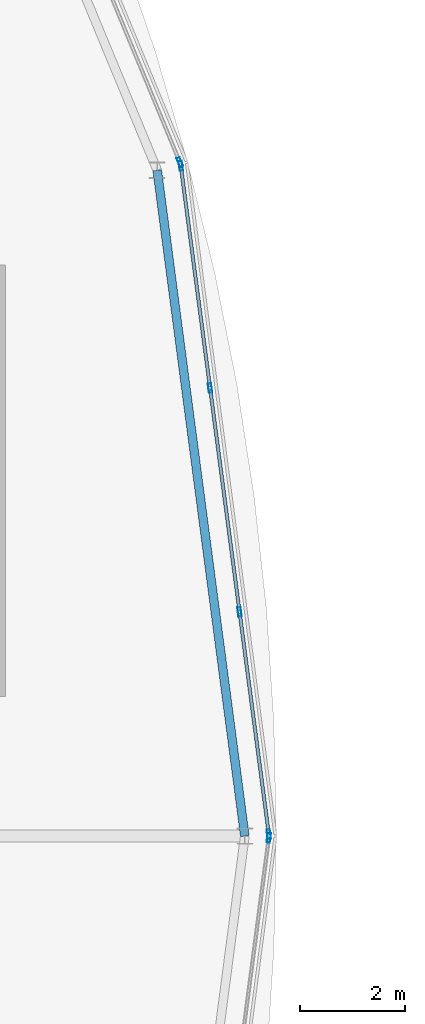
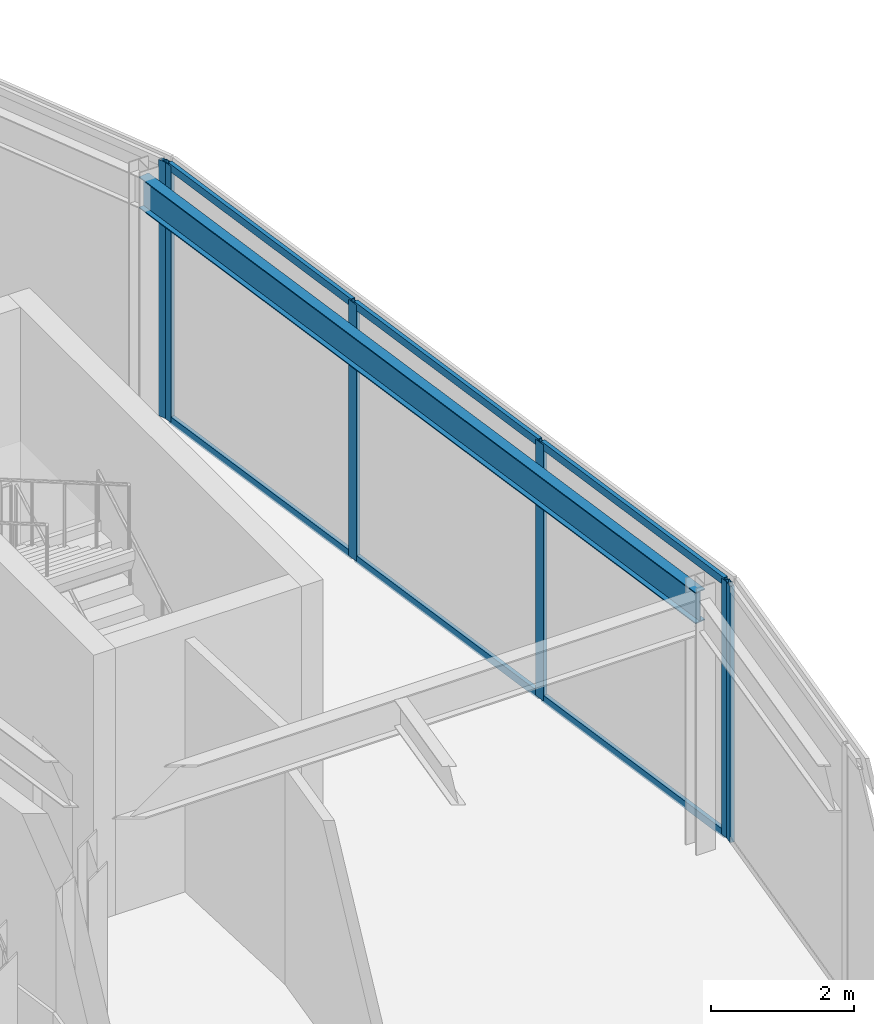
# One storey, part 73 of 116: 12 members, 1 beam, 3 elements without a shape of their own.
"""IFC4 building model written with IfcOpenShell, lengths in metres."""

from ifc_helpers import new_model, si_unit, direction, frame, origin, origin_2d, place, context, subcontext, project, spatial, hollow_rectangle, i_section, extrude, material, material_profile, profile_set, type_object, element, aggregate, save


model = new_model("IFC4")

# Units and contexts
model_context = context("Model", 3, precision=1e-05, world=origin(), true_north=direction((0.0, 1.0)))
body_context = subcontext(model_context, "Body", "Model", "MODEL_VIEW")
ifc_project = project(units=[si_unit("LENGTHUNIT", "METRE"), si_unit("AREAUNIT", "SQUARE_METRE"), si_unit("VOLUMEUNIT", "CUBIC_METRE"), si_unit("PLANEANGLEUNIT", "RADIAN"), si_unit("MASSUNIT", "GRAM", prefix="KILO")], contexts=[model_context])

# Site, building, storey
site_placement = place(None, origin())
site = spatial("IfcSite", under=ifc_project, at=site_placement, CompositionType="ELEMENT")
building_placement = place(site_placement, origin())
building = spatial("IfcBuilding", under=site, at=building_placement, Name="Almandine Court Research Institute", CompositionType="ELEMENT")
storey_placement = place(building_placement, frame((0.0, 0.0, 14.35009765625)))
storey = spatial("IfcBuildingStorey", under=building, at=storey_placement, Name="L03", CompositionType="ELEMENT", Elevation=14.35009765625)

# Beam
ifc_material_1 = material(Name="Steel ASTM A992 Grade 50", Category="steel")
ifc_material_profile_1 = material_profile(ifc_material_1, i_section(OverallWidth=0.166015625, OverallDepth=0.534912109375, WebThickness=0.010009765625, FlangeThickness=0.01708984375, at=origin_2d()), Name="W530x85")
ifc_profile_set_1 = profile_set([ifc_material_profile_1], Name="Steel ASTM A992 Grade 50")
beam_type = type_object("IfcBeamType", Name="Beam-G-05-E", PredefinedType="SPANDREL", material=ifc_profile_set_1)
beam_placement = place(storey_placement, frame((135.89990234375, 56.0, 4.102783203125), z_axis=(-0.130512396599, 0.991446677504, 0.0), x_axis=(-0.991446677504, -0.130512396599, 0.0)))
element("IfcBeam", 1, at=beam_placement, inside=storey, type_object=beam_type, Name="L03 Drum OUT Ring Beam 00", PredefinedType="SPANDREL", context=body_context, shape_type="SweptSolid", body=[
    extrude(i_section(OverallWidth=0.166015625, OverallDepth=0.534912109375, WebThickness=0.010009765625, FlangeThickness=0.01708984375, at=origin_2d()), origin(), (0.0, 0.0, 1.0), 12.76513671875),
])

# Curtain wall, member
ifc_material_2 = material(Name="Unitised Curtain Wall Framing and Solar Glazing", Category="glass")
curtain_wall_type = type_object("IfcCurtainWallType", Name="CW-CWJ-19", PredefinedType="USERDEFINED", material=ifc_material_2)
curtain_wall_1_placement = place(storey_placement, origin())
curtain_wall_1 = element("IfcCurtainWall", 2, at=curtain_wall_1_placement, inside=storey, type_object=curtain_wall_type, Name="L03 Stacked-Ring Drum Outer Solar Jali Screen 23", ObjectType="SOLAR JALI SCREEN", PredefinedType="USERDEFINED")
ifc_material_3 = material(Name="Anodised Aluminium AW-6063-T6", Category="aluminium")
ifc_material_profile_2 = material_profile(ifc_material_3, hollow_rectangle(XDim=0.06494140625, YDim=0.179931640625, WallThickness=0.00390625, at=origin_2d()), Name="ALU RHS 65x180x4")
ifc_profile_set_2 = profile_set([ifc_material_profile_2], Name="Anodised Aluminium AW-6063-T6")
member_type_1 = type_object("IfcMemberType", Name="CWMul-65x180", PredefinedType="MULLION", material=ifc_profile_set_2)
member_1_placement = place(storey_placement, frame((136.355712890625, 55.9638671875, 0.0), z_axis=(0.0, 0.0, 1.0), x_axis=(0.991442926098, -0.130540891259, 0.0)))
member_1 = element("IfcMember", 3, at=member_1_placement, type_object=member_type_1, Name="CWJ-19 mullion 1", PredefinedType="MULLION", context=body_context, shape_type="SweptSolid", body=[
    extrude(hollow_rectangle(XDim=0.06494140625, YDim=0.179931640625, WallThickness=0.00390625, at=origin_2d()), origin(), (0.0, 0.0, 1.0), 4.369873046875),
])
aggregate(curtain_wall_1, [member_1])

# Curtain wall, members
curtain_wall_2_placement = place(storey_placement, origin())
curtain_wall_2 = element("IfcCurtainWall", 4, at=curtain_wall_2_placement, inside=storey, type_object=curtain_wall_type, Name="L03 Stacked-Ring Drum Outer Solar Jali Screen 00", ObjectType="SOLAR JALI SCREEN", PredefinedType="USERDEFINED")
member_2_placement = place(storey_placement, frame((134.683349609375, 68.73876953125, 0.0), z_axis=(0.0, 0.0, 1.0), x_axis=(0.991442926098, 0.130540891259, 0.0)))
member_2 = element("IfcMember", 5, at=member_2_placement, type_object=member_type_1, Name="CWJ-19 mullion 1", PredefinedType="MULLION", context=body_context, shape_type="SweptSolid", body=[
    extrude(hollow_rectangle(XDim=0.06494140625, YDim=0.179931640625, WallThickness=0.00390625, at=origin_2d()), origin(), (0.0, 0.0, 1.0), 4.369873046875),
])
member_3_placement = place(storey_placement, frame((135.2392578125, 64.515380859375, 0.0), z_axis=(0.0, 0.0, 1.0), x_axis=(0.991442926098, 0.130540891259, 0.0)))
member_3 = element("IfcMember", 6, at=member_3_placement, type_object=member_type_1, Name="CWJ-19 mullion 2", PredefinedType="MULLION", context=body_context, shape_type="SweptSolid", body=[
    extrude(hollow_rectangle(XDim=0.06494140625, YDim=0.179931640625, WallThickness=0.00390625, at=origin_2d()), origin(), (0.0, 0.0, 1.0), 4.369873046875),
])
member_4_placement = place(storey_placement, frame((135.799560546875, 60.259765625, 0.0), z_axis=(0.0, 0.0, 1.0), x_axis=(0.991442926098, 0.130540891259, 0.0)))
member_4 = element("IfcMember", 7, at=member_4_placement, type_object=member_type_1, Name="CWJ-19 mullion 3", PredefinedType="MULLION", context=body_context, shape_type="SweptSolid", body=[
    extrude(hollow_rectangle(XDim=0.06494140625, YDim=0.179931640625, WallThickness=0.00390625, at=origin_2d()), origin(), (0.0, 0.0, 1.0), 4.369873046875),
])
member_5_placement = place(storey_placement, frame((136.355712890625, 56.0361328125, 0.0), z_axis=(0.0, 0.0, 1.0), x_axis=(0.991442926098, 0.130540891259, 0.0)))
member_5 = element("IfcMember", 8, at=member_5_placement, type_object=member_type_1, Name="CWJ-19 mullion 4", PredefinedType="MULLION", context=body_context, shape_type="SweptSolid", body=[
    extrude(hollow_rectangle(XDim=0.06494140625, YDim=0.179931640625, WallThickness=0.00390625, at=origin_2d()), origin(), (0.0, 0.0, 1.0), 4.369873046875),
])

# Curtain wall, member
curtain_wall_3_placement = place(storey_placement, origin())
curtain_wall_3 = element("IfcCurtainWall", 9, at=curtain_wall_3_placement, inside=storey, type_object=curtain_wall_type, Name="L03 Stacked-Ring Drum Outer Solar Jali Screen 01", ObjectType="SOLAR JALI SCREEN", PredefinedType="USERDEFINED")
member_6_placement = place(storey_placement, frame((134.66455078125, 68.80908203125, 0.0), z_axis=(0.0, 0.0, 1.0), x_axis=(0.923888124321, 0.382662689242, 0.0)))
member_6 = element("IfcMember", 10, at=member_6_placement, type_object=member_type_1, Name="CWJ-19 mullion 4", PredefinedType="MULLION", context=body_context, shape_type="SweptSolid", body=[
    extrude(hollow_rectangle(XDim=0.06494140625, YDim=0.179931640625, WallThickness=0.00390625, at=origin_2d()), origin(), (0.0, 0.0, 1.0), 4.369873046875),
])
aggregate(curtain_wall_3, [member_6])

# Member
ifc_material_profile_3 = material_profile(ifc_material_3, hollow_rectangle(XDim=0.06494140625, YDim=0.1298828125, WallThickness=0.00390625, at=origin_2d()), Name="ALU RHS 65x130x4")
ifc_profile_set_3 = profile_set([ifc_material_profile_3], Name="Anodised Aluminium AW-6063-T6")
member_type_2 = type_object("IfcMemberType", Name="CWTrn-65x130", PredefinedType="NOTDEFINED", material=ifc_profile_set_3)
member_7_placement = place(storey_placement, frame((134.6875, 68.70654296875, 0.032470703125), z_axis=(0.130543337873, -0.991442603955, 0.0), x_axis=(0.991442603955, 0.130543337873, 0.0)))
member_7 = element("IfcMember", 11, at=member_7_placement, type_object=member_type_2, Name="CWJ-19 transom 1.1", ObjectType="TRANSOM", PredefinedType="USERDEFINED", context=body_context, shape_type="SweptSolid", body=[
    extrude(hollow_rectangle(XDim=0.06494140625, YDim=0.1298828125, WallThickness=0.00390625, at=origin_2d()), origin(), (0.0, 0.0, 1.0), 4.19482421875),
])

member_8_placement = place(storey_placement, frame((134.6875, 68.70654296875, 4.33740234375), z_axis=(0.130543337873, -0.991442603955, 0.0), x_axis=(0.991442603955, 0.130543337873, 0.0)))
member_8 = element("IfcMember", 12, at=member_8_placement, type_object=member_type_2, Name="CWJ-19 transom 1.2", ObjectType="TRANSOM", PredefinedType="USERDEFINED", context=body_context, shape_type="SweptSolid", body=[
    extrude(hollow_rectangle(XDim=0.06494140625, YDim=0.1298828125, WallThickness=0.00390625, at=origin_2d()), origin(), (0.0, 0.0, 1.0), 4.19482421875),
])

member_9_placement = place(storey_placement, frame((135.24365234375, 64.483154296875, 0.032470703125), z_axis=(0.130521740045, -0.991445447504, 0.0), x_axis=(0.991445447504, 0.130521740045, 0.0)))
member_9 = element("IfcMember", 13, at=member_9_placement, type_object=member_type_2, Name="CWJ-19 transom 2.1", ObjectType="TRANSOM", PredefinedType="USERDEFINED", context=body_context, shape_type="SweptSolid", body=[
    extrude(hollow_rectangle(XDim=0.06494140625, YDim=0.1298828125, WallThickness=0.00390625, at=origin_2d()), origin(), (0.0, 0.0, 1.0), 4.227294921875),
])

member_10_placement = place(storey_placement, frame((135.24365234375, 64.483154296875, 4.33740234375), z_axis=(0.130521740045, -0.991445447504, 0.0), x_axis=(0.991445447504, 0.130521740045, 0.0)))
member_10 = element("IfcMember", 14, at=member_10_placement, type_object=member_type_2, Name="CWJ-19 transom 2.2", ObjectType="TRANSOM", PredefinedType="USERDEFINED", context=body_context, shape_type="SweptSolid", body=[
    extrude(hollow_rectangle(XDim=0.06494140625, YDim=0.1298828125, WallThickness=0.00390625, at=origin_2d()), origin(), (0.0, 0.0, 1.0), 4.227294921875),
])

member_11_placement = place(storey_placement, frame((135.803955078125, 60.2275390625, 0.032470703125), z_axis=(0.130535805655, -0.991443595694, 0.0), x_axis=(0.991443595694, 0.130535805655, 0.0)))
member_11 = element("IfcMember", 15, at=member_11_placement, type_object=member_type_2, Name="CWJ-19 transom 3.1", ObjectType="TRANSOM", PredefinedType="USERDEFINED", context=body_context, shape_type="SweptSolid", body=[
    extrude(hollow_rectangle(XDim=0.06494140625, YDim=0.1298828125, WallThickness=0.00390625, at=origin_2d()), origin(), (0.0, 0.0, 1.0), 4.195068359375),
])

member_12_placement = place(storey_placement, frame((135.803955078125, 60.2275390625, 4.33740234375), z_axis=(0.130535805655, -0.991443595694, 0.0), x_axis=(0.991443595694, 0.130535805655, 0.0)))
member_12 = element("IfcMember", 16, at=member_12_placement, type_object=member_type_2, Name="CWJ-19 transom 3.2", ObjectType="TRANSOM", PredefinedType="USERDEFINED", context=body_context, shape_type="SweptSolid", body=[
    extrude(hollow_rectangle(XDim=0.06494140625, YDim=0.1298828125, WallThickness=0.00390625, at=origin_2d()), origin(), (0.0, 0.0, 1.0), 4.195068359375),
])

aggregate(curtain_wall_2, [member_2, member_3, member_4, member_5, member_7, member_8, member_9, member_10, member_11, member_12])

save(model, "model.ifc")
